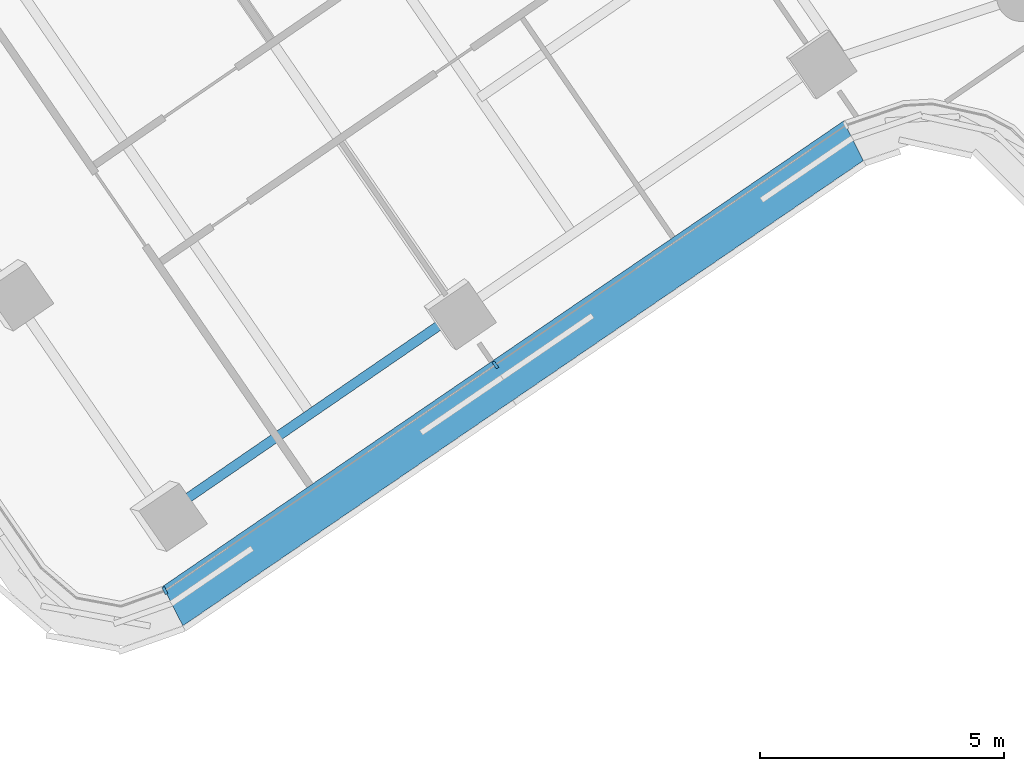
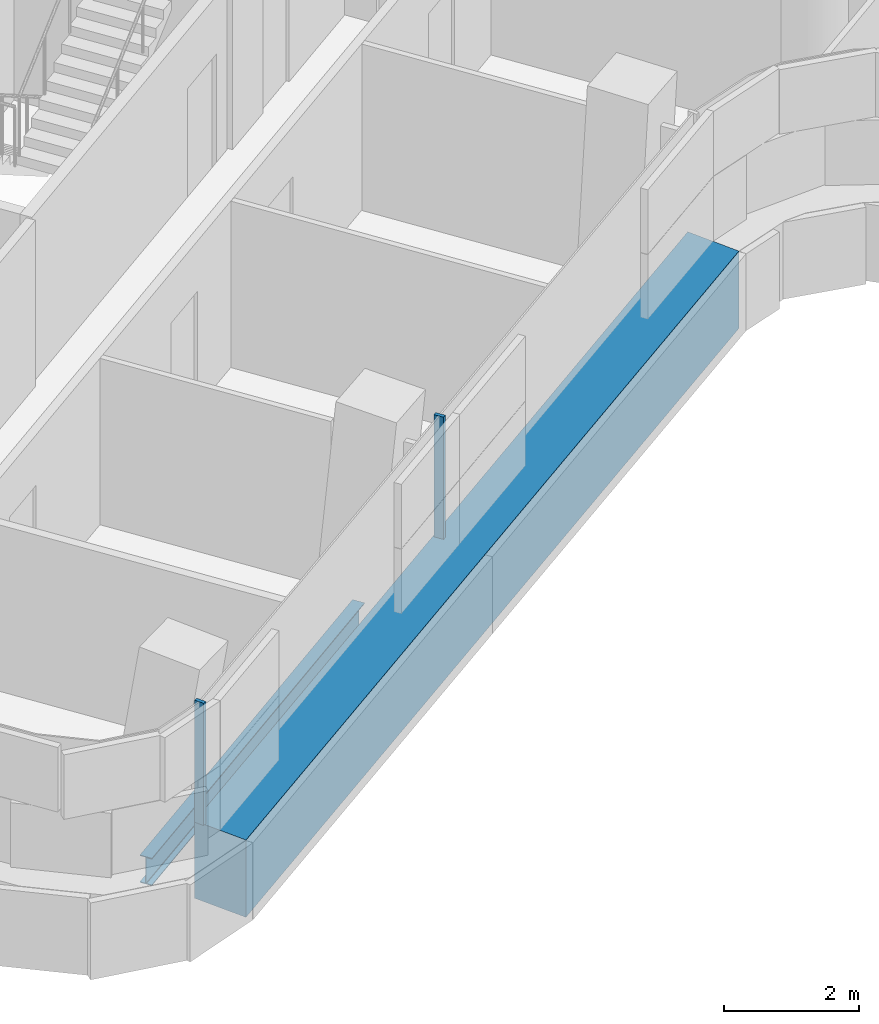
# One storey, part 2 of 33: 3 members, 1 beam, 1 element without a shape of its own.
"""IFC4 building model written with IfcOpenShell, lengths in metres."""

from ifc_helpers import new_model, si_unit, direction, frame, origin, origin_2d, place, context, subcontext, project, spatial, polyline, rectangle, i_section, outline, extrude, material, layer, layer_set, material_profile, profile_set, type_object, element, aggregate, save


model = new_model("IFC4")

# Units and contexts
model_context = context("Model", 3, precision=1e-05, world=origin(), true_north=direction((0.0, 1.0)))
body_context = subcontext(model_context, "Body", "Model", "MODEL_VIEW")
ifc_project = project(units=[si_unit("LENGTHUNIT", "METRE"), si_unit("AREAUNIT", "SQUARE_METRE"), si_unit("VOLUMEUNIT", "CUBIC_METRE"), si_unit("PLANEANGLEUNIT", "RADIAN"), si_unit("MASSUNIT", "GRAM", prefix="KILO")], contexts=[model_context])

# Site, building, storey
site_placement = place(None, origin())
site = spatial("IfcSite", under=ifc_project, at=site_placement, CompositionType="ELEMENT")
building_placement = place(site_placement, origin())
building = spatial("IfcBuilding", under=site, at=building_placement, Name="Tamarind Cross Interchange Tower", CompositionType="ELEMENT")
storey_placement = place(building_placement, frame((0.0, 0.0, 159.25)))
storey = spatial("IfcBuildingStorey", under=building, at=storey_placement, Name="L39", CompositionType="ELEMENT", Elevation=159.25)

# Beam
ifc_material_1 = material(Name="Steel Q355B", Category="steel")
ifc_material_profile_1 = material_profile(ifc_material_1, i_section(OverallWidth=0.198974609375, OverallDepth=0.49609375, WebThickness=0.009033203125, FlangeThickness=0.013916015625, FilletRadius=0.012939453125, at=origin_2d()), Name="HN 496x199x9x14")
ifc_profile_set_1 = profile_set([ifc_material_profile_1], Name="Steel Q355B")
beam_type = type_object("IfcBeamType", Name="Composite beam HN 496x199x9x14 Q355B", PredefinedType="BEAM", material=ifc_profile_set_1)
beam_placement = place(storey_placement, frame((-39.1787109375, -18.468994140625, -0.387939453125), z_axis=(0.824353363712, 0.566075553028, 0.0), x_axis=(-0.566075553028, 0.824353363712, 0.0)))
element("IfcBeam", 1, at=beam_placement, inside=storey, type_object=beam_type, Name="Beam W-edgeep2", PredefinedType="BEAM", context=body_context, shape_type="SweptSolid", body=[
    extrude(i_section(OverallWidth=0.198974609375, OverallDepth=0.49609375, WebThickness=0.009033203125, FlangeThickness=0.013916015625, FilletRadius=0.012939453125, at=origin_2d()), origin(), (0.0, 0.0, 1.0), 7.31640625),
])

# Curtain wall, members
ifc_material_2 = material(Name="Aluminium 6063-T6", Category="aluminium")
ifc_layer = layer(ifc_material_2, 0.159912109375)
ifc_layer_set = layer_set([ifc_layer], Name="Aluminium 6063-T6")
curtain_wall_type = type_object("IfcCurtainWallType", Name="Office curtain wall, 9.0 m bays", PredefinedType="NOTDEFINED", material=ifc_layer_set)
curtain_wall_placement = place(storey_placement, origin())
curtain_wall = element("IfcCurtainWall", 2, at=curtain_wall_placement, inside=storey, type_object=curtain_wall_type, Name="CWS-L39-01", PredefinedType="NOTDEFINED")
ifc_material_3 = material(Name="Aluminium and insulated spandrel panel", Category="aluminium")
member_type_1 = type_object("IfcMemberType", Name="Floor-edge blade transom", PredefinedType="USERDEFINED", material=ifc_material_3)
member_1_placement = place(storey_placement, origin())
member_1 = element("IfcMember", 3, at=member_1_placement, type_object=member_type_1, Name="CWT-L39-01", ObjectType="TRANSOM", PredefinedType="USERDEFINED", context=body_context, shape_type="SweptSolid", body=[
    extrude(outline(polyline([(-39.18994140625, -19.9326171875), (-25.25, -10.404296875), (-24.84326171875, -11.21630859375), (-38.779052734375, -20.741943359375), (-39.18994140625, -19.9326171875)])), origin(), (0.0, 0.0, 1.0), 1.39990234375),
])
ifc_material_profile_2 = material_profile(ifc_material_2, rectangle(XDim=0.06005859375, YDim=0.159912109375, at=origin_2d()), Name="Mullion CW1")
ifc_profile_set_2 = profile_set([ifc_material_profile_2], Name="Aluminium 6063-T6")
member_type_2 = type_object("IfcMemberType", Name="Mullion CW1", PredefinedType="MULLION", material=ifc_profile_set_2)
member_2_placement = place(storey_placement, frame((-39.144287109375, -20.0224609375, 1.39990234375), z_axis=(0.0, 0.0, 1.0), x_axis=(0.8916706144, 0.452684785934, 0.0)))
member_2 = element("IfcMember", 4, at=member_2_placement, type_object=member_type_2, Name="CWM-L39-01-00", PredefinedType="MULLION", context=body_context, shape_type="SweptSolid", body=[
    extrude(rectangle(XDim=0.06005859375, YDim=0.159912109375, at=origin_2d()), origin(), (0.0, 0.0, 1.0), 2.210205078125),
])
member_3_placement = place(storey_placement, frame((-32.379150390625, -15.3984375, 1.39990234375), z_axis=(0.0, 0.0, 1.0), x_axis=(0.825569418072, 0.564300572341, 0.0)))
member_3 = element("IfcMember", 5, at=member_3_placement, type_object=member_type_2, Name="CWM-L39-01-01", PredefinedType="MULLION", context=body_context, shape_type="SweptSolid", body=[
    extrude(rectangle(XDim=0.06005859375, YDim=0.159912109375, at=origin_2d()), origin(), (0.0, 0.0, 1.0), 2.210205078125),
])
aggregate(curtain_wall, [member_2, member_3, member_1])

save(model, "model.ifc")
